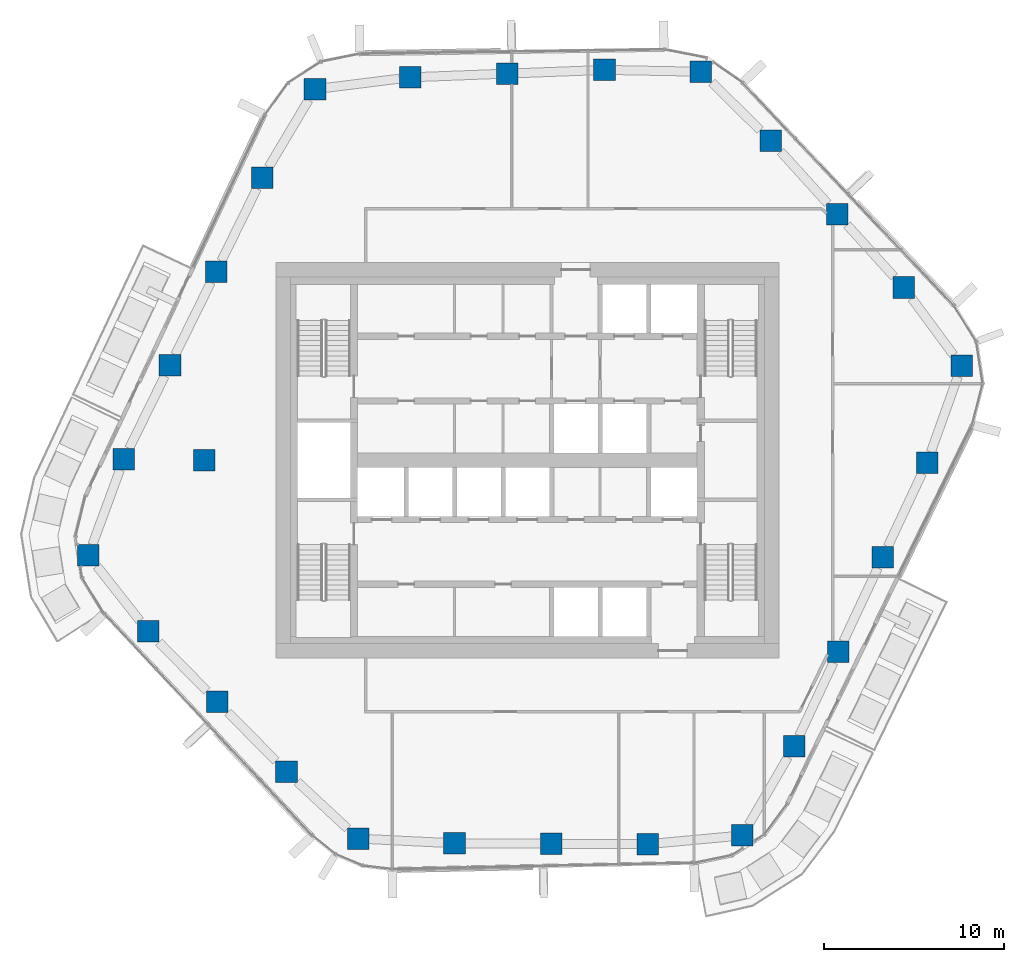
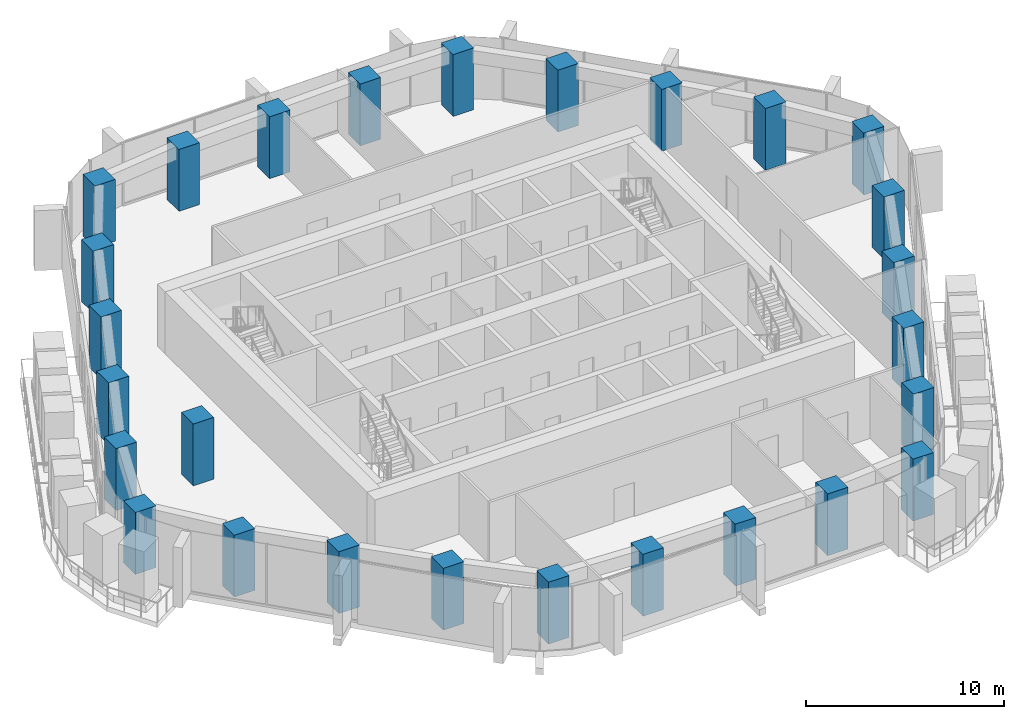
# One storey, part 1 of 18: 27 columns.
"""IFC4 building model written with IfcOpenShell, lengths in metres."""

import ifcopenshell
import ifcopenshell.guid

model = None  # the IFC model being written
_history = None  # IfcOwnerHistory: only IFC2X3 demands one
_inside = {}  # id of a spatial element -> (the spatial element, [elements in it])
_under = {}  # id of a project, library or spatial element -> (it, [spatial elements below it])
_declared = {}  # id of a project -> (the project, [libraries it declares])
_typed = {}  # id of a type object -> (the type object, [elements of that type])
_made_of = {}  # id of a material, layer set ... -> (it, [elements and type objects made of it])


def new_model(schema):
    """Start an empty IFC model of exactly this schema.

    Asked for "IFC4X3", IfcOpenShell would pick the latest addendum, in which some entities
    have other attributes; the version numbers below select the first issue.
    IFC2X3 requires an IfcOwnerHistory on every rooted entity: one is made here for all.
    """
    global model, _history
    if schema == "IFC4X3":
        model = ifcopenshell.file(schema_version=(4, 3, 0, 0))
    else:
        model = ifcopenshell.file(schema=schema)
    _inside.clear()
    _under.clear()
    _declared.clear()
    _typed.clear()
    _made_of.clear()
    _history = None
    if model.schema == "IFC2X3":
        org = make("IfcOrganization", Name="unknown")
        user = make(
            "IfcPersonAndOrganization",
            ThePerson=make("IfcPerson", FamilyName="unknown"),
            TheOrganization=org,
        )
        app = make(
            "IfcApplication",
            ApplicationDeveloper=org,
            Version="unknown",
            ApplicationFullName="unknown",
            ApplicationIdentifier="unknown",
        )
        _history = make(
            "IfcOwnerHistory",
            OwningUser=user,
            OwningApplication=app,
            ChangeAction="ADDED",
            CreationDate=0,
        )
    return model


def make(cls, **values):
    """One entity of the class cls with the attributes given. An attribute that is None is left unset."""
    return model.create_entity(
        cls, **{name: value for name, value in values.items() if value is not None}
    )


def rooted(cls, **values):
    """An entity with a GlobalId (a new one), such as an element, a storey or a relation."""
    return make(cls, GlobalId=ifcopenshell.guid.new(), OwnerHistory=_history, **values)


def si_unit(unit_type, name, prefix=None):
    """IfcSIUnit, for example si_unit("LENGTHUNIT", "METRE", prefix="MILLI")."""
    return make("IfcSIUnit", UnitType=unit_type, Prefix=prefix, Name=name)


def assignment(units):
    """IfcUnitAssignment: the units of a project."""
    return None if units is None else make("IfcUnitAssignment", Units=units)


def point(xyz):
    """IfcCartesianPoint."""
    return None if xyz is None else make("IfcCartesianPoint", Coordinates=xyz)


def direction(xyz):
    """IfcDirection."""
    return None if xyz is None else make("IfcDirection", DirectionRatios=xyz)


def frame(location, z_axis=None, x_axis=None):
    """IfcAxis2Placement3D, a coordinate frame: its origin and axes. An axis left out is left unset."""
    return make(
        "IfcAxis2Placement3D",
        Location=point(location),
        Axis=direction(z_axis),
        RefDirection=direction(x_axis),
    )


def frame_2d(location, x_axis=None):
    """IfcAxis2Placement2D, a coordinate frame in the plane: its origin and x axis."""
    return make(
        "IfcAxis2Placement2D", Location=point(location), RefDirection=direction(x_axis)
    )


def origin():
    """The frame at (0, 0, 0) with its axes left unset."""
    return frame((0.0, 0.0, 0.0))


def origin_2d():
    """The frame at (0, 0) in the plane with its x axis left unset."""
    return frame_2d((0.0, 0.0))


def place(relative_to, where):
    """IfcLocalPlacement: puts the frame where relative to a parent placement (None: the world)."""
    return make(
        "IfcLocalPlacement", PlacementRelTo=relative_to, RelativePlacement=where
    )


def context(
    kind, dimensions, precision=None, world=None, true_north=None, identifier=None
):
    """IfcGeometricRepresentationContext, for example the 3D "Model" context."""
    return make(
        "IfcGeometricRepresentationContext",
        ContextIdentifier=identifier,
        ContextType=kind,
        CoordinateSpaceDimension=dimensions,
        Precision=precision,
        WorldCoordinateSystem=world,
        TrueNorth=true_north,
    )


def subcontext(parent, identifier, kind, view, scale=None):
    """IfcGeometricRepresentationSubContext, for example "Body" below "Model"."""
    return make(
        "IfcGeometricRepresentationSubContext",
        ContextIdentifier=identifier,
        ContextType=kind,
        ParentContext=parent,
        TargetScale=scale,
        TargetView=view,
    )


def project(units=None, contexts=None):
    """IfcProject with its units and contexts."""
    return rooted(
        "IfcProject",
        Name="project",
        RepresentationContexts=contexts,
        UnitsInContext=assignment(units),
    )


def spatial(cls, under=None, at=None, **own):
    """A site, building, storey or space (cls), placed at a placement, below another one or the project."""
    s = rooted(cls, ObjectPlacement=at, **own)
    if under is not None:
        _under.setdefault(under.id(), (under, []))[1].append(s)
    return s


def profile(cls, at=None, kind="AREA", **sizes):
    """A parametric profile (cls). Its sizes go by their IFC names, for example OverallWidth=200.0."""
    return make(cls, ProfileType=kind, Position=at, **sizes)


def rectangle(**sizes):
    """IfcRectangleProfileDef."""
    return profile("IfcRectangleProfileDef", **sizes)


def extrude(swept, where, along, depth):
    """IfcExtrudedAreaSolid: the profile swept, set in the frame where, extruded along a direction by depth."""
    return make(
        "IfcExtrudedAreaSolid",
        SweptArea=swept,
        Position=where,
        ExtrudedDirection=direction(along),
        Depth=depth,
    )


def shape(context_of_items, identifier, shape_type, items):
    """IfcShapeRepresentation: the items that make up one representation, for example the "Body"."""
    return make(
        "IfcShapeRepresentation",
        ContextOfItems=context_of_items,
        RepresentationIdentifier=identifier,
        RepresentationType=shape_type,
        Items=items,
    )


def material(Name=None, Category=None):
    """IfcMaterial."""
    return make("IfcMaterial", Name=Name, Category=Category)


def material_profile(
    of_material, cross_section, Name=None, Category=None, Priority=None
):
    """IfcMaterialProfile: a cross section and its material."""
    return make(
        "IfcMaterialProfile",
        Name=Name,
        Material=of_material,
        Profile=cross_section,
        Priority=Priority,
        Category=Category,
    )


def profile_set(profiles, Name=None, composite=None):
    """IfcMaterialProfileSet."""
    return make(
        "IfcMaterialProfileSet",
        Name=Name,
        MaterialProfiles=profiles,
        CompositeProfile=composite,
    )


def made_of(thing, what):
    """Note that an element or type object is made of a material, layer set ...; save() writes the relation."""
    if what is not None:
        _made_of.setdefault(what.id(), (what, []))[1].append(thing)
    return thing


def type_object(cls, material=None, **own):
    """A type object (cls), such as IfcWallType, which elements share."""
    return made_of(rooted(cls, **own), material)


def element(
    cls,
    number,
    at=None,
    inside=None,
    cuts=None,
    type_object=None,
    material=None,
    context=None,
    identifier="Body",
    shape_type=None,
    held_by="IfcProductDefinitionShape",
    body=None,
    shapes=None,
    **own,
):
    """One element of the class cls, such as IfcWall. Its Tag is "e" and its number.

    at: its placement. inside: the storey or other place that contains it. cuts: it is an
    opening in that element (IfcRelVoidsElement). A single representation is given by context,
    identifier, shape_type and body (its items); several are given by shapes. held_by: the class
    of the entity that holds the representations. save() writes the other relations.
    """
    e = rooted(cls, Tag="e%d" % number, ObjectPlacement=at, **own)
    if body is not None:
        shapes = [shape(context, identifier, shape_type, body)]
    if shapes is not None:
        e.Representation = make(held_by, Representations=shapes)
    if inside is not None:
        _inside.setdefault(inside.id(), (inside, []))[1].append(e)
    if cuts is not None:
        rooted(
            "IfcRelVoidsElement", RelatingBuildingElement=cuts, RelatedOpeningElement=e
        )
    if type_object is not None:
        _typed.setdefault(type_object.id(), (type_object, []))[1].append(e)
    return made_of(e, material)


def aggregate(whole, parts):
    """IfcRelAggregates: a whole, such as a stair, and the parts it consists of."""
    return rooted("IfcRelAggregates", RelatingObject=whole, RelatedObjects=parts)


def save(model, path):
    """Write the relations noted so far, then the file.

    IfcRelAggregates (storeys below a building ...), IfcRelContainedInSpatialStructure (elements
    in a storey), IfcRelDefinesByType, IfcRelAssociatesMaterial and IfcRelDeclares: one each for
    every whole, place, type object, material and project.
    """
    for whole, parts in _under.values():
        aggregate(whole, parts)
    for where, things in _inside.values():
        rooted(
            "IfcRelContainedInSpatialStructure",
            RelatedElements=things,
            RelatingStructure=where,
        )
    for kind, things in _typed.values():
        rooted("IfcRelDefinesByType", RelatedObjects=things, RelatingType=kind)
    for what, things in _made_of.values():
        rooted("IfcRelAssociatesMaterial", RelatedObjects=things, RelatingMaterial=what)
    for by, libraries in _declared.values():
        rooted("IfcRelDeclares", RelatingContext=by, RelatedDefinitions=libraries)
    model.write(path)


model = new_model("IFC4")

# Units and contexts
model_context = context("Model", 3, precision=1e-05, world=origin(), true_north=direction((0.0, 1.0)))
body_context = subcontext(model_context, "Body", "Model", "MODEL_VIEW")
ifc_project = project(units=[si_unit("LENGTHUNIT", "METRE"), si_unit("AREAUNIT", "SQUARE_METRE"), si_unit("VOLUMEUNIT", "CUBIC_METRE"), si_unit("PLANEANGLEUNIT", "RADIAN"), si_unit("MASSUNIT", "GRAM", prefix="KILO")], contexts=[model_context])

# Site, building, storey
site_placement = place(None, origin())
site = spatial("IfcSite", under=ifc_project, at=site_placement, CompositionType="ELEMENT")
building_placement = place(site_placement, origin())
building = spatial("IfcBuilding", under=site, at=building_placement, Name="Dongbaek Canopy Tower", CompositionType="ELEMENT")
storey_placement = place(building_placement, frame((0.0, 0.0, 162.800048828125)))
storey = spatial("IfcBuildingStorey", under=building, at=storey_placement, Name="L35", CompositionType="ELEMENT", Elevation=162.800048828125)

# Columns
ifc_material = material(Name="Concrete C70", Category="concrete")
ifc_material_profile = material_profile(ifc_material, rectangle(XDim=1.199951171875, YDim=1.199951171875, at=origin_2d()), Name="RC COLUMN 1200x1200 C70")
ifc_profile_set = profile_set([ifc_material_profile], Name="Concrete C70")
column_type = type_object("IfcColumnType", Name="RC COLUMN 1200x1200 C70", PredefinedType="COLUMN", material=ifc_profile_set)
for number, where, z_axis, x_axis, name in (
    (1, (11.971923828125, -20.885009765625, 0.0), (0.0, 0.0, 1.0), (1.0, 0.0, 0.0), "COL:CZ3-01:L35"),
    (2, (6.697998046875, -21.3720703125, 0.0), (0.0, 0.0, 1.0), (1.0, 0.0, 0.0), "COL:CZ3-02:L35"),
    (3, (1.321044921875, -21.347900390625, 0.0), (0.0, 0.0, 1.0), (1.0, 0.0, 0.0), "COL:CZ3-03:L35"),
    (4, (-4.054931640625, -21.323974609375, 0.0), (0.0, 0.0, 1.0), (1.0, 0.0, 0.0), "COL:CZ3-04:L35"),
    (5, (-9.407958984375, -21.06103515625, 0.0), (0.0, 0.0, 1.0), (1.0, 0.0, 0.0), "COL:CZ3-05:L35"),
    (6, (-13.409912109375, -17.339111328125, 0.0), (0.0, 0.0, 1.0), (1.0, 0.0, 0.0), "COL:CZ3-06:L35"),
    (7, (-17.258056640625, -13.431884765625, 0.0), (0.0, 0.0, 1.0), (1.0, 0.0, 0.0), "COL:CZ3-07:L35"),
    (8, (-21.10595703125, -9.52490234375, 0.0), (0.0, 0.0, 1.0), (1.0, 0.0, 0.0), "COL:CZ3-08:L35"),
    (9, (-24.43505859375, -5.2939453125, 0.0), (0.0, 0.0, 1.0), (1.0, 0.0, 0.0), "COL:CZ3-09:L35"),
    (10, (-22.4619140625, 0.06689453125, 0.0), (0.0, 0.0, 1.0), (1.0, 0.0, 0.0), "COL:CZ3-10:L35"),
    (11, (-19.89599609375, 5.287109375, 0.0), (0.0, 0.0, 1.0), (1.0, 0.0, 0.0), "COL:CZ3-11:L35"),
    (12, (-17.327880859375, 10.5048828125, 0.0), (0.0, 0.0, 1.0), (1.0, 0.0, 0.0), "COL:CZ3-12:L35"),
    (13, (-14.761962890625, 15.72412109375, 0.0), (0.0, 0.0, 1.0), (1.0, 0.0, 0.0), "COL:CZ3-13:L35"),
    (14, (-11.822998046875, 20.660888671875, 0.0), (0.0, 0.0, 1.0), (1.0, 0.0, 0.0), "COL:CZ3-14:L35"),
    (15, (-6.52197265625, 21.322998046875, 0.0), (0.0, 0.0, 1.0), (1.0, 0.0, 0.0), "COL:CZ3-15:L35"),
    (16, (-1.113037109375, 21.530029296875, 0.0), (0.0, 0.0, 1.0), (1.0, 0.0, 0.0), "COL:CZ3-16:L35"),
    (17, (4.294921875, 21.736083984375, 0.0), (0.0, 0.0, 1.0), (1.0, 0.0, 0.0), "COL:CZ3-17:L35"),
    (18, (9.666015625, 21.635009765625, 0.0), (0.0, 0.0, 1.0), (1.0, 0.0, 0.0), "COL:CZ3-18:L35"),
    (19, (13.56005859375, 17.7919921875, 0.0), (0.0, 0.0, 1.0), (1.0, 0.0, 0.0), "COL:CZ3-19:L35"),
    (20, (17.260986328125, 13.7060546875, 0.0), (0.0, 0.0, 1.0), (1.0, 0.0, 0.0), "COL:CZ3-20:L35"),
    (21, (20.9599609375, 9.62109375, 0.0), (0.0, 0.0, 1.0), (1.0, 0.0, 0.0), "COL:CZ3-21:L35"),
    (22, (24.179931640625, 5.257080078125, 0.0), (0.0, 0.0, 1.0), (1.0, 0.0, 0.0), "COL:CZ3-22:L35"),
    (23, (22.25390625, -0.134033203125, 0.0), (0.0, 0.0, 1.0), (1.0, 0.0, 0.0), "COL:CZ3-23:L35"),
    (24, (19.7880859375, -5.39892578125, 0.0), (0.0, 0.0, 1.0), (1.0, 0.0, 0.0), "COL:CZ3-24:L35"),
    (25, (17.322021484375, -10.666015625, 0.0), (0.0, 0.0, 1.0), (1.0, 0.0, 0.0), "COL:CZ3-25:L35"),
    (26, (14.85498046875, -15.931884765625, 0.0), (0.0, 0.0, 1.0), (1.0, 0.0, 0.0), "COL:CZ3-26:L35"),
    (27, (-18.0, 0.0, 0.0), (0.0, 0.0, 1.0), (1.0, 0.0, 0.0), "COL:CIZ3-01:L35"),
):
    element("IfcColumn", number, at=place(storey_placement, frame(where, z_axis=z_axis, x_axis=x_axis)), inside=storey, type_object=column_type, Name=name, PredefinedType="COLUMN", context=body_context, shape_type="SweptSolid", body=[
        extrude(rectangle(XDim=1.199951171875, YDim=1.199951171875, at=origin_2d()), origin(), (0.0, 0.0, 1.0), 3.820068359375),
    ])

save(model, "model.ifc")
